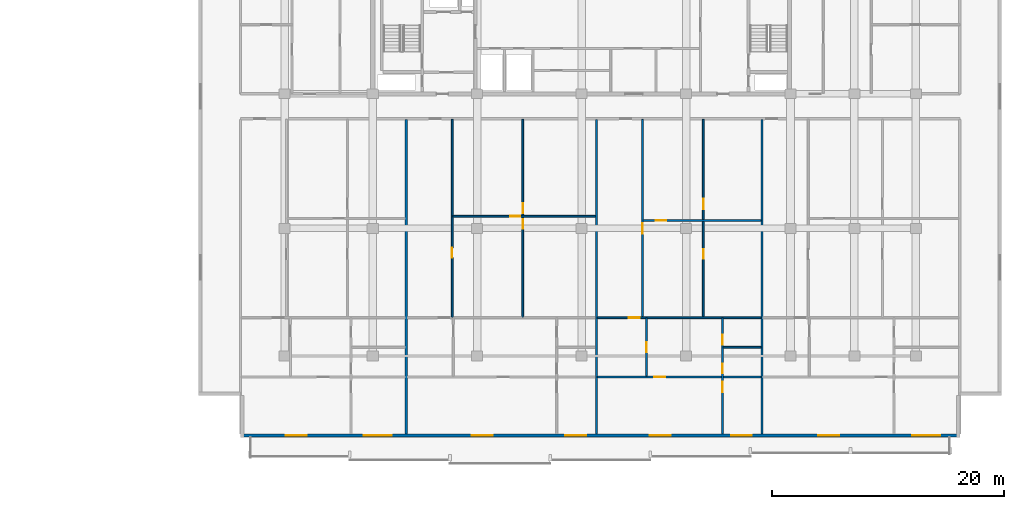
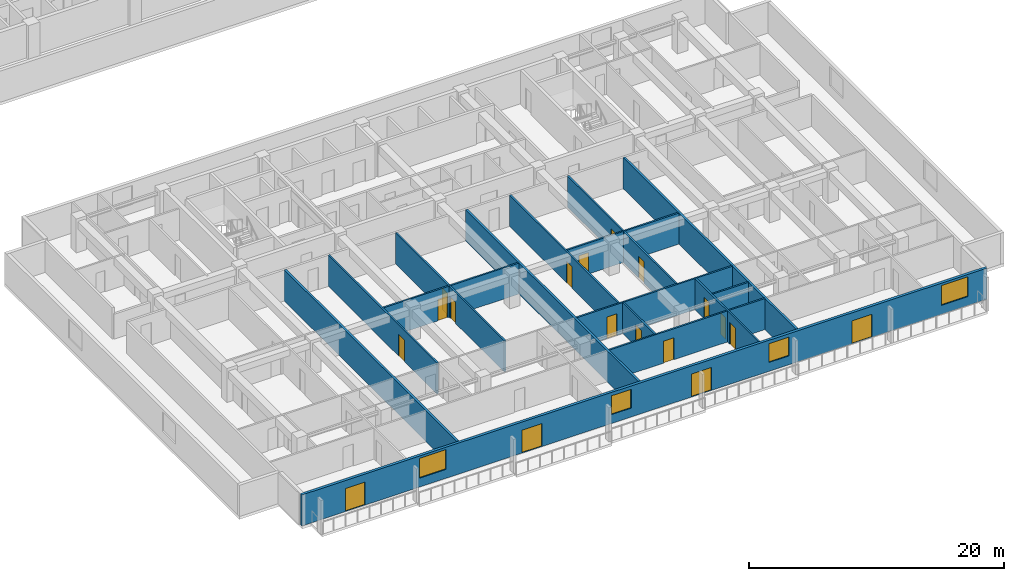
# One storey, part 5 of 23: 18 doors, 15 walls, 4 windows, 22 openings.
"""IFC4 building model written with IfcOpenShell, lengths in metres."""

from ifc_helpers import new_model, si_unit, direction, frame, frame_2d, origin, place, context, subcontext, project, spatial, rectangle, extrude, material, layer, layer_set, type_object, element, fill, save


model = new_model("IFC4")

# Units and contexts
model_context = context("Model", 3, precision=1e-05, world=origin(), true_north=direction((0.0, 1.0)))
body_context = subcontext(model_context, "Body", "Model", "MODEL_VIEW")
ifc_project = project(units=[si_unit("LENGTHUNIT", "METRE"), si_unit("AREAUNIT", "SQUARE_METRE"), si_unit("VOLUMEUNIT", "CUBIC_METRE"), si_unit("PLANEANGLEUNIT", "RADIAN"), si_unit("MASSUNIT", "GRAM", prefix="KILO")], contexts=[model_context])

# Site, building, storey
site_placement = place(None, origin())
site = spatial("IfcSite", under=ifc_project, at=site_placement, CompositionType="ELEMENT")
building_placement = place(site_placement, origin())
building = spatial("IfcBuilding", under=site, at=building_placement, Name="Korimba Cascade Residences", CompositionType="ELEMENT")
storey_placement = place(building_placement, frame((0.0, 0.0, 40.25)))
storey = spatial("IfcBuildingStorey", under=building, at=storey_placement, Name="L10", CompositionType="ELEMENT", Elevation=40.25)

# Wall, openings, doors, windows
ifc_material_1 = material(Name="Precast concrete C40/50", Category="concrete")
ifc_layer_1 = layer(ifc_material_1, 0.25)
ifc_layer_set_1 = layer_set([ifc_layer_1], Name="Precast concrete C40/50")
wall_type_1 = type_object("IfcWallType", Name="EW-LOG-250", PredefinedType="STANDARD", material=ifc_layer_set_1)
wall_1_placement = place(storey_placement, frame((70.699951171875, -11.050048828125, 0.0), z_axis=(0.0, 0.0, 1.0), x_axis=(1.0, 0.0, 0.0)))
wall_1 = element("IfcWall", 1, at=wall_1_placement, inside=storey, type_object=wall_type_1, Name="L10 T2 Perimeter Stone Wall E00", PredefinedType="STANDARD", context=body_context, shape_type="SweptSolid", body=[
    extrude(rectangle(XDim=62.0, YDim=0.25, at=frame_2d((31.0, 0.0))), origin(), (0.0, 0.0, 1.0), 2.969970703125),
])
opening_1_placement = place(wall_1_placement, frame((3.919921875, 0.0, 0.0)))
opening_1 = element("IfcOpeningElement", 2, at=opening_1_placement, cuts=wall_1, Name="Opening D-LG1", PredefinedType="OPENING", context=body_context, shape_type="SweptSolid", body=[
    extrude(rectangle(XDim=1.800048828125, YDim=2.199951171875, at=frame_2d((0.89990234375, 1.10009765625))), frame((0.0, 0.135009765625, 0.0), z_axis=(0.0, -1.0, 0.0), x_axis=(1.0, 0.0, 0.0)), (0.0, 0.0, 1.0), 0.27001953125),
])
opening_2_placement = place(wall_1_placement, frame((10.637939453125, 0.0, 0.85009765625)))
opening_2 = element("IfcOpeningElement", 3, at=opening_2_placement, cuts=wall_1, Name="Opening W-01", PredefinedType="OPENING", context=body_context, shape_type="SweptSolid", body=[
    extrude(rectangle(XDim=2.39990234375, YDim=1.89990234375, at=frame_2d((1.199951171875, 0.949951171875))), frame((0.0, 0.135009765625, 0.0), z_axis=(0.0, -1.0, 0.0), x_axis=(1.0, 0.0, 0.0)), (0.0, 0.0, 1.0), 0.27001953125),
])
opening_3_placement = place(wall_1_placement, frame((19.925537109375, 0.0, 0.0)))
opening_3 = element("IfcOpeningElement", 4, at=opening_3_placement, cuts=wall_1, Name="Opening D-LG1", PredefinedType="OPENING", context=body_context, shape_type="SweptSolid", body=[
    extrude(rectangle(XDim=1.800048828125, YDim=2.199951171875, at=frame_2d((0.89990234375, 1.10009765625))), frame((0.0, 0.135009765625, 0.0), z_axis=(0.0, -1.0, 0.0), x_axis=(1.0, 0.0, 0.0)), (0.0, 0.0, 1.0), 0.27001953125),
])
opening_4_placement = place(wall_1_placement, frame((28.0048828125, 0.0, 0.85009765625)))
opening_4 = element("IfcOpeningElement", 5, at=opening_4_placement, cuts=wall_1, Name="Opening W-02", PredefinedType="OPENING", context=body_context, shape_type="SweptSolid", body=[
    extrude(rectangle(XDim=1.800048828125, YDim=1.800048828125, at=frame_2d((0.89990234375, 0.89990234375))), frame((0.0, 0.135009765625, 0.0), z_axis=(0.0, -1.0, 0.0), x_axis=(1.0, 0.0, 0.0)), (0.0, 0.0, 1.0), 0.27001953125),
])
opening_5_placement = place(wall_1_placement, frame((35.262939453125, 0.0, 0.0)))
opening_5 = element("IfcOpeningElement", 6, at=opening_5_placement, cuts=wall_1, Name="Opening D-LG1", PredefinedType="OPENING", context=body_context, shape_type="SweptSolid", body=[
    extrude(rectangle(XDim=1.800048828125, YDim=2.199951171875, at=frame_2d((0.89990234375, 1.10009765625))), frame((0.0, 0.135009765625, 0.0), z_axis=(0.0, -1.0, 0.0), x_axis=(1.0, 0.0, 0.0)), (0.0, 0.0, 1.0), 0.27001953125),
])
opening_6_placement = place(wall_1_placement, frame((42.281005859375, 0.0, 0.85009765625)))
opening_6 = element("IfcOpeningElement", 7, at=opening_6_placement, cuts=wall_1, Name="Opening W-02", PredefinedType="OPENING", context=body_context, shape_type="SweptSolid", body=[
    extrude(rectangle(XDim=1.800048828125, YDim=1.800048828125, at=frame_2d((0.89990234375, 0.89990234375))), frame((0.0, 0.135009765625, 0.0), z_axis=(0.0, -1.0, 0.0), x_axis=(1.0, 0.0, 0.0)), (0.0, 0.0, 1.0), 0.27001953125),
])
opening_7_placement = place(wall_1_placement, frame((49.79541015625, 0.0, 0.0)))
opening_7 = element("IfcOpeningElement", 8, at=opening_7_placement, cuts=wall_1, Name="Opening D-LG1", PredefinedType="OPENING", context=body_context, shape_type="SweptSolid", body=[
    extrude(rectangle(XDim=1.800048828125, YDim=2.199951171875, at=frame_2d((0.89990234375, 1.10009765625))), frame((0.0, 0.135009765625, 0.0), z_axis=(0.0, -1.0, 0.0), x_axis=(1.0, 0.0, 0.0)), (0.0, 0.0, 1.0), 0.27001953125),
])
opening_8_placement = place(wall_1_placement, frame((57.89990234375, 0.0, 0.85009765625)))
opening_8 = element("IfcOpeningElement", 9, at=opening_8_placement, cuts=wall_1, Name="Opening W-01", PredefinedType="OPENING", context=body_context, shape_type="SweptSolid", body=[
    extrude(rectangle(XDim=2.39990234375, YDim=1.89990234375, at=frame_2d((1.199951171875, 0.949951171875))), frame((0.0, 0.135009765625, 0.0), z_axis=(0.0, -1.0, 0.0), x_axis=(1.0, 0.0, 0.0)), (0.0, 0.0, 1.0), 0.27001953125),
])
ifc_material_2 = material(Name="Glazed Aluminium Loggia Sliding Door", Category="aluminium")
door_type_1 = type_object("IfcDoorType", Name="DR-EXT-LOG", OperationType="NOTDEFINED", PredefinedType="DOOR", material=ifc_material_2)
door_1_placement = place(opening_1_placement, origin())
door_1 = element("IfcDoor", 10, at=door_1_placement, inside=storey, type_object=door_type_1, Name="L10 T2 Loggia Sliding Door 3", OperationType="SLIDING_TO_RIGHT", OverallHeight=2.199951171875, OverallWidth=1.800048828125, PredefinedType="DOOR", context=body_context, shape_type="SweptSolid", body=[
    extrude(rectangle(XDim=1.800048828125, YDim=2.199951171875, at=frame_2d((0.89990234375, 1.10009765625))), frame((0.0, 0.02490234375, 0.0), z_axis=(0.0, -1.0, 0.0), x_axis=(1.0, 0.0, 0.0)), (0.0, 0.0, 1.0), 0.050048828125),
])
fill(opening_1, door_1)
door_2_placement = place(opening_3_placement, origin())
door_2 = element("IfcDoor", 11, at=door_2_placement, inside=storey, type_object=door_type_1, Name="L10 T2 Loggia Sliding Door 5", OperationType="SLIDING_TO_RIGHT", OverallHeight=2.199951171875, OverallWidth=1.800048828125, PredefinedType="DOOR", context=body_context, shape_type="SweptSolid", body=[
    extrude(rectangle(XDim=1.800048828125, YDim=2.199951171875, at=frame_2d((0.89990234375, 1.10009765625))), frame((0.0, 0.02490234375, 0.0), z_axis=(0.0, -1.0, 0.0), x_axis=(1.0, 0.0, 0.0)), (0.0, 0.0, 1.0), 0.050048828125),
])
fill(opening_3, door_2)
door_3_placement = place(opening_5_placement, origin())
door_3 = element("IfcDoor", 12, at=door_3_placement, inside=storey, type_object=door_type_1, Name="L10 T2 Loggia Sliding Door 7", OperationType="SLIDING_TO_RIGHT", OverallHeight=2.199951171875, OverallWidth=1.800048828125, PredefinedType="DOOR", context=body_context, shape_type="SweptSolid", body=[
    extrude(rectangle(XDim=1.800048828125, YDim=2.199951171875, at=frame_2d((0.89990234375, 1.10009765625))), frame((0.0, 0.02490234375, 0.0), z_axis=(0.0, -1.0, 0.0), x_axis=(1.0, 0.0, 0.0)), (0.0, 0.0, 1.0), 0.050048828125),
])
fill(opening_5, door_3)
door_4_placement = place(opening_7_placement, origin())
door_4 = element("IfcDoor", 13, at=door_4_placement, inside=storey, type_object=door_type_1, Name="L10 T2 Loggia Sliding Door 9", OperationType="SLIDING_TO_RIGHT", OverallHeight=2.199951171875, OverallWidth=1.800048828125, PredefinedType="DOOR", context=body_context, shape_type="SweptSolid", body=[
    extrude(rectangle(XDim=1.800048828125, YDim=2.199951171875, at=frame_2d((0.89990234375, 1.10009765625))), frame((0.0, 0.02490234375, 0.0), z_axis=(0.0, -1.0, 0.0), x_axis=(1.0, 0.0, 0.0)), (0.0, 0.0, 1.0), 0.050048828125),
])
fill(opening_7, door_4)
ifc_material_3 = material(Name="Double-Glazed Aluminium Window", Category="aluminium")
window_type_1 = type_object("IfcWindowType", Name="WIN-BED-1800", PartitioningType="SINGLE_PANEL", PredefinedType="WINDOW", material=ifc_material_3)
window_1_placement = place(opening_4_placement, origin())
window_1 = element("IfcWindow", 14, at=window_1_placement, inside=storey, type_object=window_type_1, Name="L10 T2 South Facade Window 6", OverallHeight=1.800048828125, OverallWidth=1.800048828125, PartitioningType="SINGLE_PANEL", PredefinedType="WINDOW", context=body_context, shape_type="SweptSolid", body=[
    extrude(rectangle(XDim=1.800048828125, YDim=1.800048828125, at=frame_2d((0.89990234375, 0.89990234375))), frame((0.0, 0.030029296875, 0.0), z_axis=(0.0, -1.0, 0.0), x_axis=(1.0, 0.0, 0.0)), (0.0, 0.0, 1.0), 0.06005859375),
])
fill(opening_4, window_1)
window_2_placement = place(opening_6_placement, origin())
window_2 = element("IfcWindow", 15, at=window_2_placement, inside=storey, type_object=window_type_1, Name="L10 T2 South Facade Window 8", OverallHeight=1.800048828125, OverallWidth=1.800048828125, PartitioningType="SINGLE_PANEL", PredefinedType="WINDOW", context=body_context, shape_type="SweptSolid", body=[
    extrude(rectangle(XDim=1.800048828125, YDim=1.800048828125, at=frame_2d((0.89990234375, 0.89990234375))), frame((0.0, 0.030029296875, 0.0), z_axis=(0.0, -1.0, 0.0), x_axis=(1.0, 0.0, 0.0)), (0.0, 0.0, 1.0), 0.06005859375),
])
fill(opening_6, window_2)
window_type_2 = type_object("IfcWindowType", Name="WIN-RES-2400", PartitioningType="DOUBLE_PANEL_VERTICAL", PredefinedType="WINDOW", material=ifc_material_3)
window_3_placement = place(opening_2_placement, origin())
window_3 = element("IfcWindow", 16, at=window_3_placement, inside=storey, type_object=window_type_2, Name="L10 T2 South Facade Window 4", OverallHeight=1.89990234375, OverallWidth=2.39990234375, PartitioningType="DOUBLE_PANEL_VERTICAL", PredefinedType="WINDOW", context=body_context, shape_type="SweptSolid", body=[
    extrude(rectangle(XDim=2.39990234375, YDim=1.89990234375, at=frame_2d((1.199951171875, 0.949951171875))), frame((0.0, 0.030029296875, 0.0), z_axis=(0.0, -1.0, 0.0), x_axis=(1.0, 0.0, 0.0)), (0.0, 0.0, 1.0), 0.06005859375),
])
fill(opening_2, window_3)
window_4_placement = place(opening_8_placement, origin())
window_4 = element("IfcWindow", 17, at=window_4_placement, inside=storey, type_object=window_type_2, Name="L10 T2 South Facade Window 10", OverallHeight=1.89990234375, OverallWidth=2.39990234375, PartitioningType="DOUBLE_PANEL_VERTICAL", PredefinedType="WINDOW", context=body_context, shape_type="SweptSolid", body=[
    extrude(rectangle(XDim=2.39990234375, YDim=1.89990234375, at=frame_2d((1.199951171875, 0.949951171875))), frame((0.0, 0.030029296875, 0.0), z_axis=(0.0, -1.0, 0.0), x_axis=(1.0, 0.0, 0.0)), (0.0, 0.0, 1.0), 0.06005859375),
])
fill(opening_8, window_4)

# Walls
ifc_layer_2 = layer(ifc_material_1, 0.199951171875)
ifc_layer_set_2 = layer_set([ifc_layer_2], Name="Precast concrete C40/50")
wall_type_2 = type_object("IfcWallType", Name="WAL-IT-200", PredefinedType="PARTITIONING", material=ifc_layer_set_2)
for number, where, z_axis, x_axis, name in (
    (18, (84.975830078125, -10.89990234375, 0.0), (0.0, 0.0, 1.0), (0.0, 1.0, 0.0), "L10 Partition Wall WAL-L10-T2-DEM-1"),
    (19, (101.375, -10.89990234375, 0.0), (0.0, 0.0, 1.0), (0.0, 1.0, 0.0), "L10 Partition Wall WAL-L10-T2-DEM-2"),
    (20, (115.65087890625, -10.89990234375, 0.0), (0.0, 0.0, 1.0), (0.0, 1.0, 0.0), "L10 Partition Wall WAL-L10-T2-DEM-3"),
):
    element("IfcWall", number, at=place(storey_placement, frame(where, z_axis=z_axis, x_axis=x_axis)), inside=storey, type_object=wall_type_2, Name=name, PredefinedType="PARTITIONING", context=body_context, shape_type="SweptSolid", body=[
        extrude(rectangle(XDim=27.06982421875, YDim=0.199951171875, at=frame_2d((13.534912109375, 0.0))), origin(), (0.0, 0.0, 1.0), 2.969970703125),
    ])

# Wall, openings, doors
ifc_material_4 = material(Name="Insulated Acoustic Stud Partition", Category="gypsum")
ifc_layer_3 = layer(ifc_material_4, 0.14990234375)
ifc_layer_set_3 = layer_set([ifc_layer_3], Name="Insulated Acoustic Stud Partition")
wall_type_3 = type_object("IfcWallType", Name="WAL-PART-150", PredefinedType="PARTITIONING", material=ifc_layer_set_3)
wall_2_placement = place(storey_placement, frame((95.030517578125, -0.860107421875, 0.0), z_axis=(0.0, 0.0, 1.0), x_axis=(0.0, 1.0, 0.0)))
wall_2 = element("IfcWall", 21, at=wall_2_placement, inside=storey, type_object=wall_type_3, Name="L10 Partition Wall WAL-L10-T2-U02-FMV", PredefinedType="PARTITIONING", context=body_context, shape_type="SweptSolid", body=[
    extrude(rectangle(XDim=17.050048828125, YDim=0.14990234375, at=frame_2d((8.52490234375, 0.0))), origin(), (0.0, 0.0, 1.0), 2.969970703125),
])
opening_9_placement = place(wall_2_placement, frame((7.614990234375, 0.0, 0.0)))
opening_9 = element("IfcOpeningElement", 22, at=opening_9_placement, cuts=wall_2, Name="Opening D-BT1", PredefinedType="OPENING", context=body_context, shape_type="SweptSolid", body=[
    extrude(rectangle(XDim=0.840087890625, YDim=2.0400390625, at=frame_2d((0.419921875, 1.02001953125))), frame((0.0, 0.0849609375, 0.0), z_axis=(0.0, -1.0, 0.0), x_axis=(1.0, 0.0, 0.0)), (0.0, 0.0, 1.0), 0.169921875),
])
opening_10_placement = place(wall_2_placement, frame((8.955078125, 0.0, 0.0)))
opening_10 = element("IfcOpeningElement", 23, at=opening_10_placement, cuts=wall_2, Name="Opening D-IN2", PredefinedType="OPENING", context=body_context, shape_type="SweptSolid", body=[
    extrude(rectangle(XDim=0.8798828125, YDim=2.06005859375, at=frame_2d((0.43994140625, 1.030029296875))), frame((0.0, 0.0849609375, 0.0), z_axis=(0.0, -1.0, 0.0), x_axis=(1.0, 0.0, 0.0)), (0.0, 0.0, 1.0), 0.169921875),
])
ifc_material_5 = material(Name="Moisture-Resistant Bathroom Timber Door", Category="wood")
door_type_2 = type_object("IfcDoorType", Name="DR-INT-850", OperationType="NOTDEFINED", PredefinedType="DOOR", material=ifc_material_5)
door_5_placement = place(opening_9_placement, origin())
door_5 = element("IfcDoor", 24, at=door_5_placement, inside=storey, type_object=door_type_2, Name="L10-T2-U02 Wardrobe Door", OperationType="SINGLE_SWING_RIGHT", OverallHeight=2.0400390625, OverallWidth=0.840087890625, PredefinedType="DOOR", context=body_context, shape_type="SweptSolid", body=[
    extrude(rectangle(XDim=0.840087890625, YDim=2.0400390625, at=frame_2d((0.419921875, 1.02001953125))), frame((0.0, 0.02490234375, 0.0), z_axis=(0.0, -1.0, 0.0), x_axis=(1.0, 0.0, 0.0)), (0.0, 0.0, 1.0), 0.050048828125),
])
fill(opening_9, door_5)
ifc_material_6 = material(Name="Acoustic Timber Bedroom Door", Category="wood")
door_type_3 = type_object("IfcDoorType", Name="DR-INT-880", OperationType="NOTDEFINED", PredefinedType="DOOR", material=ifc_material_6)
door_6_placement = place(opening_10_placement, origin())
door_6 = element("IfcDoor", 25, at=door_6_placement, inside=storey, type_object=door_type_3, Name="L10-T2-U02 Music Lounge Door", OperationType="SINGLE_SWING_LEFT", OverallHeight=2.06005859375, OverallWidth=0.8798828125, PredefinedType="DOOR", context=body_context, shape_type="SweptSolid", body=[
    extrude(rectangle(XDim=0.8798828125, YDim=2.06005859375, at=frame_2d((0.43994140625, 1.030029296875))), frame((0.0, 0.02490234375, 0.0), z_axis=(0.0, -1.0, 0.0), x_axis=(1.0, 0.0, 0.0)), (0.0, 0.0, 1.0), 0.050048828125),
])
fill(opening_10, door_6)

# Wall, opening, door
wall_3_placement = place(storey_placement, frame((89.005859375, 7.844970703125, 0.0), z_axis=(0.0, 0.0, 1.0), x_axis=(1.0, 0.0, 0.0)))
wall_3 = element("IfcWall", 26, at=wall_3_placement, inside=storey, type_object=wall_type_3, Name="L10 Partition Wall WAL-L10-T2-U02-FMH", PredefinedType="PARTITIONING", context=body_context, shape_type="SweptSolid", body=[
    extrude(rectangle(XDim=12.2890625, YDim=0.14990234375, at=frame_2d((6.14453125, 0.0))), origin(), (0.0, 0.0, 1.0), 2.969970703125),
])
opening_11_placement = place(wall_3_placement, frame((4.924560546875, 0.0, 0.0)))
opening_11 = element("IfcOpeningElement", 27, at=opening_11_placement, cuts=wall_3, Name="Opening D-IN2", PredefinedType="OPENING", context=body_context, shape_type="SweptSolid", body=[
    extrude(rectangle(XDim=0.8798828125, YDim=2.06005859375, at=frame_2d((0.43994140625, 1.030029296875))), frame((0.0, 0.0849609375, 0.0), z_axis=(0.0, -1.0, 0.0), x_axis=(1.0, 0.0, 0.0)), (0.0, 0.0, 1.0), 0.169921875),
])
door_7_placement = place(opening_11_placement, origin())
door_7 = element("IfcDoor", 28, at=door_7_placement, inside=storey, type_object=door_type_3, Name="L10-T2-U02 Library Salon Door", OperationType="SINGLE_SWING_RIGHT", OverallHeight=2.06005859375, OverallWidth=0.8798828125, PredefinedType="DOOR", context=body_context, shape_type="SweptSolid", body=[
    extrude(rectangle(XDim=0.8798828125, YDim=2.06005859375, at=frame_2d((0.43994140625, 1.030029296875))), frame((0.0, 0.02490234375, 0.0), z_axis=(0.0, -1.0, 0.0), x_axis=(1.0, 0.0, 0.0)), (0.0, 0.0, 1.0), 0.050048828125),
])
fill(opening_11, door_7)

wall_4_placement = place(storey_placement, frame((88.94580078125, -0.860107421875, 0.0), z_axis=(0.0, 0.0, 1.0), x_axis=(0.0, 1.0, 0.0)))
wall_4 = element("IfcWall", 29, at=wall_4_placement, inside=storey, type_object=wall_type_3, Name="L10 Partition Wall WAL-L10-T2-U02-FV", PredefinedType="PARTITIONING", context=body_context, shape_type="SweptSolid", body=[
    extrude(rectangle(XDim=17.050048828125, YDim=0.14990234375, at=frame_2d((8.52490234375, 0.0))), origin(), (0.0, 0.0, 1.0), 2.969970703125),
])
opening_12_placement = place(wall_4_placement, frame((5.118408203125, 0.0, 0.0)))
opening_12 = element("IfcOpeningElement", 30, at=opening_12_placement, cuts=wall_4, Name="Opening D-IN2", PredefinedType="OPENING", context=body_context, shape_type="SweptSolid", body=[
    extrude(rectangle(XDim=0.8798828125, YDim=2.06005859375, at=frame_2d((0.43994140625, 1.030029296875))), frame((0.0, 0.0849609375, 0.0), z_axis=(0.0, -1.0, 0.0), x_axis=(1.0, 0.0, 0.0)), (0.0, 0.0, 1.0), 0.169921875),
])
door_8_placement = place(opening_12_placement, origin())
door_8 = element("IfcDoor", 31, at=door_8_placement, inside=storey, type_object=door_type_3, Name="L10-T2-U02 Media Lounge Door", OperationType="SINGLE_SWING_LEFT", OverallHeight=2.06005859375, OverallWidth=0.8798828125, PredefinedType="DOOR", context=body_context, shape_type="SweptSolid", body=[
    extrude(rectangle(XDim=0.8798828125, YDim=2.06005859375, at=frame_2d((0.43994140625, 1.030029296875))), frame((0.0, 0.02490234375, 0.0), z_axis=(0.0, -1.0, 0.0), x_axis=(1.0, 0.0, 0.0)), (0.0, 0.0, 1.0), 0.050048828125),
])
fill(opening_12, door_8)

# Wall, openings, doors
wall_5_placement = place(storey_placement, frame((110.587890625, -0.860107421875, 0.0), z_axis=(0.0, 0.0, 1.0), x_axis=(0.0, 1.0, 0.0)))
wall_5 = element("IfcWall", 32, at=wall_5_placement, inside=storey, type_object=wall_type_3, Name="L10 Partition Wall WAL-L10-T2-U03-FMV", PredefinedType="PARTITIONING", context=body_context, shape_type="SweptSolid", body=[
    extrude(rectangle(XDim=17.050048828125, YDim=0.14990234375, at=frame_2d((8.52490234375, 0.0))), origin(), (0.0, 0.0, 1.0), 2.969970703125),
])
opening_13_placement = place(wall_5_placement, frame((5.04541015625, 0.0, 0.0)))
opening_13 = element("IfcOpeningElement", 33, at=opening_13_placement, cuts=wall_5, Name="Opening D-BT1", PredefinedType="OPENING", context=body_context, shape_type="SweptSolid", body=[
    extrude(rectangle(XDim=0.840087890625, YDim=2.0400390625, at=frame_2d((0.419921875, 1.02001953125))), frame((0.0, 0.0849609375, 0.0), z_axis=(0.0, -1.0, 0.0), x_axis=(1.0, 0.0, 0.0)), (0.0, 0.0, 1.0), 0.169921875),
])
opening_14_placement = place(wall_5_placement, frame((9.3173828125, 0.0, 0.0)))
opening_14 = element("IfcOpeningElement", 34, at=opening_14_placement, cuts=wall_5, Name="Opening D-IN2", PredefinedType="OPENING", context=body_context, shape_type="SweptSolid", body=[
    extrude(rectangle(XDim=0.8798828125, YDim=2.06005859375, at=frame_2d((0.43994140625, 1.030029296875))), frame((0.0, 0.0849609375, 0.0), z_axis=(0.0, -1.0, 0.0), x_axis=(1.0, 0.0, 0.0)), (0.0, 0.0, 1.0), 0.169921875),
])
door_9_placement = place(opening_13_placement, origin())
door_9 = element("IfcDoor", 35, at=door_9_placement, inside=storey, type_object=door_type_2, Name="L10-T2-U03 Wardrobe Door", OperationType="SINGLE_SWING_RIGHT", OverallHeight=2.0400390625, OverallWidth=0.840087890625, PredefinedType="DOOR", context=body_context, shape_type="SweptSolid", body=[
    extrude(rectangle(XDim=0.840087890625, YDim=2.0400390625, at=frame_2d((0.419921875, 1.02001953125))), frame((0.0, 0.02490234375, 0.0), z_axis=(0.0, -1.0, 0.0), x_axis=(1.0, 0.0, 0.0)), (0.0, 0.0, 1.0), 0.050048828125),
])
fill(opening_13, door_9)
door_10_placement = place(opening_14_placement, origin())
door_10 = element("IfcDoor", 36, at=door_10_placement, inside=storey, type_object=door_type_3, Name="L10-T2-U03 Music Lounge Door", OperationType="SINGLE_SWING_LEFT", OverallHeight=2.06005859375, OverallWidth=0.8798828125, PredefinedType="DOOR", context=body_context, shape_type="SweptSolid", body=[
    extrude(rectangle(XDim=0.8798828125, YDim=2.06005859375, at=frame_2d((0.43994140625, 1.030029296875))), frame((0.0, 0.02490234375, 0.0), z_axis=(0.0, -1.0, 0.0), x_axis=(1.0, 0.0, 0.0)), (0.0, 0.0, 1.0), 0.050048828125),
])
fill(opening_14, door_10)

# Wall, opening, door
wall_6_placement = place(storey_placement, frame((105.405029296875, 7.485107421875, 0.0), z_axis=(0.0, 0.0, 1.0), x_axis=(1.0, 0.0, 0.0)))
wall_6 = element("IfcWall", 37, at=wall_6_placement, inside=storey, type_object=wall_type_3, Name="L10 Partition Wall WAL-L10-T2-U03-FMH", PredefinedType="PARTITIONING", context=body_context, shape_type="SweptSolid", body=[
    extrude(rectangle(XDim=10.165771484375, YDim=0.14990234375, at=frame_2d((5.0830078125, 0.0))), origin(), (0.0, 0.0, 1.0), 2.969970703125),
])
opening_15_placement = place(wall_6_placement, frame((1.0966796875, 0.0, 0.0)))
opening_15 = element("IfcOpeningElement", 38, at=opening_15_placement, cuts=wall_6, Name="Opening D-IN2", PredefinedType="OPENING", context=body_context, shape_type="SweptSolid", body=[
    extrude(rectangle(XDim=0.8798828125, YDim=2.06005859375, at=frame_2d((0.43994140625, 1.030029296875))), frame((0.0, 0.0849609375, 0.0), z_axis=(0.0, -1.0, 0.0), x_axis=(1.0, 0.0, 0.0)), (0.0, 0.0, 1.0), 0.169921875),
])
door_11_placement = place(opening_15_placement, origin())
door_11 = element("IfcDoor", 39, at=door_11_placement, inside=storey, type_object=door_type_3, Name="L10-T2-U03 Library Salon Door", OperationType="SINGLE_SWING_RIGHT", OverallHeight=2.06005859375, OverallWidth=0.8798828125, PredefinedType="DOOR", context=body_context, shape_type="SweptSolid", body=[
    extrude(rectangle(XDim=0.8798828125, YDim=2.06005859375, at=frame_2d((0.43994140625, 1.030029296875))), frame((0.0, 0.02490234375, 0.0), z_axis=(0.0, -1.0, 0.0), x_axis=(1.0, 0.0, 0.0)), (0.0, 0.0, 1.0), 0.050048828125),
])
fill(opening_15, door_11)

wall_7_placement = place(storey_placement, frame((105.344970703125, -0.860107421875, 0.0), z_axis=(0.0, 0.0, 1.0), x_axis=(0.0, 1.0, 0.0)))
wall_7 = element("IfcWall", 40, at=wall_7_placement, inside=storey, type_object=wall_type_3, Name="L10 Partition Wall WAL-L10-T2-U03-FV", PredefinedType="PARTITIONING", context=body_context, shape_type="SweptSolid", body=[
    extrude(rectangle(XDim=17.050048828125, YDim=0.14990234375, at=frame_2d((8.52490234375, 0.0))), origin(), (0.0, 0.0, 1.0), 2.969970703125),
])
opening_16_placement = place(wall_7_placement, frame((7.215087890625, 0.0, 0.0)))
opening_16 = element("IfcOpeningElement", 41, at=opening_16_placement, cuts=wall_7, Name="Opening D-IN2", PredefinedType="OPENING", context=body_context, shape_type="SweptSolid", body=[
    extrude(rectangle(XDim=0.8798828125, YDim=2.06005859375, at=frame_2d((0.43994140625, 1.030029296875))), frame((0.0, 0.0849609375, 0.0), z_axis=(0.0, -1.0, 0.0), x_axis=(1.0, 0.0, 0.0)), (0.0, 0.0, 1.0), 0.169921875),
])
door_12_placement = place(opening_16_placement, origin())
door_12 = element("IfcDoor", 42, at=door_12_placement, inside=storey, type_object=door_type_3, Name="L10-T2-U03 Media Lounge Door", OperationType="SINGLE_SWING_LEFT", OverallHeight=2.06005859375, OverallWidth=0.8798828125, PredefinedType="DOOR", context=body_context, shape_type="SweptSolid", body=[
    extrude(rectangle(XDim=0.8798828125, YDim=2.06005859375, at=frame_2d((0.43994140625, 1.030029296875))), frame((0.0, 0.02490234375, 0.0), z_axis=(0.0, -1.0, 0.0), x_axis=(1.0, 0.0, 0.0)), (0.0, 0.0, 1.0), 0.050048828125),
])
fill(opening_16, door_12)

wall_8_placement = place(storey_placement, frame((105.695068359375, -5.93994140625, 0.0), z_axis=(0.0, 0.0, 1.0), x_axis=(0.0, 1.0, 0.0)))
wall_8 = element("IfcWall", 43, at=wall_8_placement, inside=storey, type_object=wall_type_3, Name="L10 Partition Wall WAL-L10-T2-U03-VDIN", PredefinedType="PARTITIONING", context=body_context, shape_type="SweptSolid", body=[
    extrude(rectangle(XDim=5.0, YDim=0.14990234375, at=frame_2d((2.5, 0.0))), origin(), (0.0, 0.0, 1.0), 2.969970703125),
])
opening_17_placement = place(wall_8_placement, frame((2.06005859375, 0.0, 0.0)))
opening_17 = element("IfcOpeningElement", 44, at=opening_17_placement, cuts=wall_8, Name="Opening D-IN2", PredefinedType="OPENING", context=body_context, shape_type="SweptSolid", body=[
    extrude(rectangle(XDim=0.8798828125, YDim=2.06005859375, at=frame_2d((0.43994140625, 1.030029296875))), frame((0.0, 0.0849609375, 0.0), z_axis=(0.0, -1.0, 0.0), x_axis=(1.0, 0.0, 0.0)), (0.0, 0.0, 1.0), 0.169921875),
])
door_13_placement = place(opening_17_placement, origin())
door_13 = element("IfcDoor", 45, at=door_13_placement, inside=storey, type_object=door_type_3, Name="L10-T2-U03 Dining Room Door", OperationType="SINGLE_SWING_RIGHT", OverallHeight=2.06005859375, OverallWidth=0.8798828125, PredefinedType="DOOR", context=body_context, shape_type="SweptSolid", body=[
    extrude(rectangle(XDim=0.8798828125, YDim=2.06005859375, at=frame_2d((0.43994140625, 1.030029296875))), frame((0.0, 0.02490234375, 0.0), z_axis=(0.0, -1.0, 0.0), x_axis=(1.0, 0.0, 0.0)), (0.0, 0.0, 1.0), 0.050048828125),
])
fill(opening_17, door_13)

# Wall
wall_9_placement = place(storey_placement, frame((112.291015625, -3.43994140625, 0.0), z_axis=(0.0, 0.0, 1.0), x_axis=(1.0, 0.0, 0.0)))
element("IfcWall", 46, at=wall_9_placement, inside=storey, type_object=wall_type_3, Name="L10 Partition Wall WAL-L10-T2-U03-BLDIV", PredefinedType="PARTITIONING", context=body_context, shape_type="SweptSolid", body=[
    extrude(rectangle(XDim=3.27978515625, YDim=0.14990234375, at=frame_2d((1.639892578125, 0.0))), origin(), (0.0, 0.0, 1.0), 2.969970703125),
])

# Wall, openings, doors
wall_10_placement = place(storey_placement, frame((112.23095703125, -10.89990234375, 0.0), z_axis=(0.0, 0.0, 1.0), x_axis=(0.0, 1.0, 0.0)))
wall_10 = element("IfcWall", 47, at=wall_10_placement, inside=storey, type_object=wall_type_3, Name="L10 Partition Wall WAL-L10-T2-U03-V1", PredefinedType="PARTITIONING", context=body_context, shape_type="SweptSolid", body=[
    extrude(rectangle(XDim=9.9599609375, YDim=0.14990234375, at=frame_2d((4.97998046875, 0.0))), origin(), (0.0, 0.0, 1.0), 2.969970703125),
])
opening_18_placement = place(wall_10_placement, frame((5.199951171875, 0.0, 0.0)))
opening_18 = element("IfcOpeningElement", 48, at=opening_18_placement, cuts=wall_10, Name="Opening D-BT1", PredefinedType="OPENING", context=body_context, shape_type="SweptSolid", body=[
    extrude(rectangle(XDim=0.840087890625, YDim=2.0400390625, at=frame_2d((0.419921875, 1.02001953125))), frame((0.0, 0.0849609375, 0.0), z_axis=(0.0, -1.0, 0.0), x_axis=(1.0, 0.0, 0.0)), (0.0, 0.0, 1.0), 0.169921875),
])
opening_19_placement = place(wall_10_placement, frame((7.689697265625, 0.0, 0.0)))
opening_19 = element("IfcOpeningElement", 49, at=opening_19_placement, cuts=wall_10, Name="Opening D-BT1", PredefinedType="OPENING", context=body_context, shape_type="SweptSolid", body=[
    extrude(rectangle(XDim=0.840087890625, YDim=2.0400390625, at=frame_2d((0.419921875, 1.02001953125))), frame((0.0, 0.0849609375, 0.0), z_axis=(0.0, -1.0, 0.0), x_axis=(1.0, 0.0, 0.0)), (0.0, 0.0, 1.0), 0.169921875),
])
opening_20_placement = place(wall_10_placement, frame((3.60009765625, 0.0, 0.0)))
opening_20 = element("IfcOpeningElement", 50, at=opening_20_placement, cuts=wall_10, Name="Opening D-IN2", PredefinedType="OPENING", context=body_context, shape_type="SweptSolid", body=[
    extrude(rectangle(XDim=0.8798828125, YDim=2.06005859375, at=frame_2d((0.43994140625, 1.030029296875))), frame((0.0, 0.0849609375, 0.0), z_axis=(0.0, -1.0, 0.0), x_axis=(1.0, 0.0, 0.0)), (0.0, 0.0, 1.0), 0.169921875),
])
door_14_placement = place(opening_18_placement, origin())
door_14 = element("IfcDoor", 51, at=door_14_placement, inside=storey, type_object=door_type_2, Name="L10-T2-U03 Bathroom Door", OperationType="SINGLE_SWING_LEFT", OverallHeight=2.0400390625, OverallWidth=0.840087890625, PredefinedType="DOOR", context=body_context, shape_type="SweptSolid", body=[
    extrude(rectangle(XDim=0.840087890625, YDim=2.0400390625, at=frame_2d((0.419921875, 1.02001953125))), frame((0.0, 0.02490234375, 0.0), z_axis=(0.0, -1.0, 0.0), x_axis=(1.0, 0.0, 0.0)), (0.0, 0.0, 1.0), 0.050048828125),
])
fill(opening_18, door_14)
door_15_placement = place(opening_19_placement, origin())
door_15 = element("IfcDoor", 52, at=door_15_placement, inside=storey, type_object=door_type_2, Name="L10-T2-U03 Laundry Door", OperationType="SINGLE_SWING_RIGHT", OverallHeight=2.0400390625, OverallWidth=0.840087890625, PredefinedType="DOOR", context=body_context, shape_type="SweptSolid", body=[
    extrude(rectangle(XDim=0.840087890625, YDim=2.0400390625, at=frame_2d((0.419921875, 1.02001953125))), frame((0.0, 0.02490234375, 0.0), z_axis=(0.0, -1.0, 0.0), x_axis=(1.0, 0.0, 0.0)), (0.0, 0.0, 1.0), 0.050048828125),
])
fill(opening_19, door_15)
door_16_placement = place(opening_20_placement, origin())
door_16 = element("IfcDoor", 53, at=door_16_placement, inside=storey, type_object=door_type_3, Name="L10-T2-U03 Bedroom 1 Door", OperationType="SINGLE_SWING_LEFT", OverallHeight=2.06005859375, OverallWidth=0.8798828125, PredefinedType="DOOR", context=body_context, shape_type="SweptSolid", body=[
    extrude(rectangle(XDim=0.8798828125, YDim=2.06005859375, at=frame_2d((0.43994140625, 1.030029296875))), frame((0.0, 0.02490234375, 0.0), z_axis=(0.0, -1.0, 0.0), x_axis=(1.0, 0.0, 0.0)), (0.0, 0.0, 1.0), 0.050048828125),
])
fill(opening_20, door_16)

# Wall, opening, door
wall_11_placement = place(storey_placement, frame((101.455078125, -0.89990234375, 0.0), z_axis=(0.0, 0.0, 1.0), x_axis=(1.0, 0.0, 0.0)))
wall_11 = element("IfcWall", 54, at=wall_11_placement, inside=storey, type_object=wall_type_3, Name="L10 Partition Wall WAL-L10-T2-U03-MW", PredefinedType="PARTITIONING", context=body_context, shape_type="SweptSolid", body=[
    extrude(rectangle(XDim=14.11572265625, YDim=0.14990234375, at=frame_2d((7.057861328125, 0.0))), origin(), (0.0, 0.0, 1.0), 2.969970703125),
])
opening_21_placement = place(wall_11_placement, frame((2.719970703125, 0.0, 0.0)))
opening_21 = element("IfcOpeningElement", 55, at=opening_21_placement, cuts=wall_11, Name="Opening D-IN1", PredefinedType="OPENING", context=body_context, shape_type="SweptSolid", body=[
    extrude(rectangle(XDim=0.919921875, YDim=2.080078125, at=frame_2d((0.4599609375, 1.0400390625))), frame((0.0, 0.0849609375, 0.0), z_axis=(0.0, -1.0, 0.0), x_axis=(1.0, 0.0, 0.0)), (0.0, 0.0, 1.0), 0.169921875),
])
ifc_material_7 = material(Name="Acoustic Timber Living Door", Category="wood")
door_type_4 = type_object("IfcDoorType", Name="DR-INT-920", OperationType="NOTDEFINED", PredefinedType="DOOR", material=ifc_material_7)
door_17_placement = place(opening_21_placement, origin())
door_17 = element("IfcDoor", 56, at=door_17_placement, inside=storey, type_object=door_type_4, Name="L10-T2-U03 Kitchen Archway Door", OperationType="SINGLE_SWING_RIGHT", OverallHeight=2.080078125, OverallWidth=0.919921875, PredefinedType="DOOR", context=body_context, shape_type="SweptSolid", body=[
    extrude(rectangle(XDim=0.919921875, YDim=2.080078125, at=frame_2d((0.4599609375, 1.0400390625))), frame((0.0, 0.02490234375, 0.0), z_axis=(0.0, -1.0, 0.0), x_axis=(1.0, 0.0, 0.0)), (0.0, 0.0, 1.0), 0.050048828125),
])
fill(opening_21, door_17)

wall_12_placement = place(storey_placement, frame((101.455078125, -6.0, 0.0), z_axis=(0.0, 0.0, 1.0), x_axis=(1.0, 0.0, 0.0)))
wall_12 = element("IfcWall", 57, at=wall_12_placement, inside=storey, type_object=wall_type_3, Name="L10 Partition Wall WAL-L10-T2-U03-HZ", PredefinedType="PARTITIONING", context=body_context, shape_type="SweptSolid", body=[
    extrude(rectangle(XDim=14.11572265625, YDim=0.14990234375, at=frame_2d((7.057861328125, 0.0))), origin(), (0.0, 0.0, 1.0), 2.969970703125),
])
opening_22_placement = place(wall_12_placement, frame((4.91796875, 0.0, 0.0)))
opening_22 = element("IfcOpeningElement", 58, at=opening_22_placement, cuts=wall_12, Name="Opening D-IN0", PredefinedType="OPENING", context=body_context, shape_type="SweptSolid", body=[
    extrude(rectangle(XDim=0.93994140625, YDim=2.10009765625, at=frame_2d((0.469970703125, 1.050048828125))), frame((0.0, 0.0849609375, 0.0), z_axis=(0.0, -1.0, 0.0), x_axis=(1.0, 0.0, 0.0)), (0.0, 0.0, 1.0), 0.169921875),
])
ifc_material_8 = material(Name="Acoustic Timber Living Archway Door", Category="wood")
door_type_5 = type_object("IfcDoorType", Name="DR-INT-950", OperationType="NOTDEFINED", PredefinedType="DOOR", material=ifc_material_8)
door_18_placement = place(opening_22_placement, origin())
door_18 = element("IfcDoor", 59, at=door_18_placement, inside=storey, type_object=door_type_5, Name="L10-T2-U03 Living Archway Door", OperationType="SINGLE_SWING_LEFT", OverallHeight=2.10009765625, OverallWidth=0.93994140625, PredefinedType="DOOR", context=body_context, shape_type="SweptSolid", body=[
    extrude(rectangle(XDim=0.93994140625, YDim=2.10009765625, at=frame_2d((0.469970703125, 1.050048828125))), frame((0.0, 0.02490234375, 0.0), z_axis=(0.0, -1.0, 0.0), x_axis=(1.0, 0.0, 0.0)), (0.0, 0.0, 1.0), 0.050048828125),
])
fill(opening_22, door_18)

save(model, "model.ifc")
